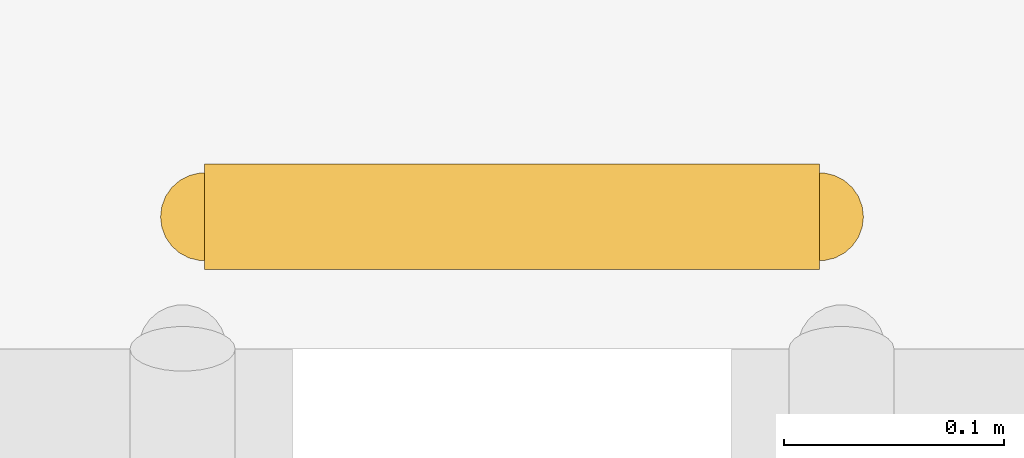
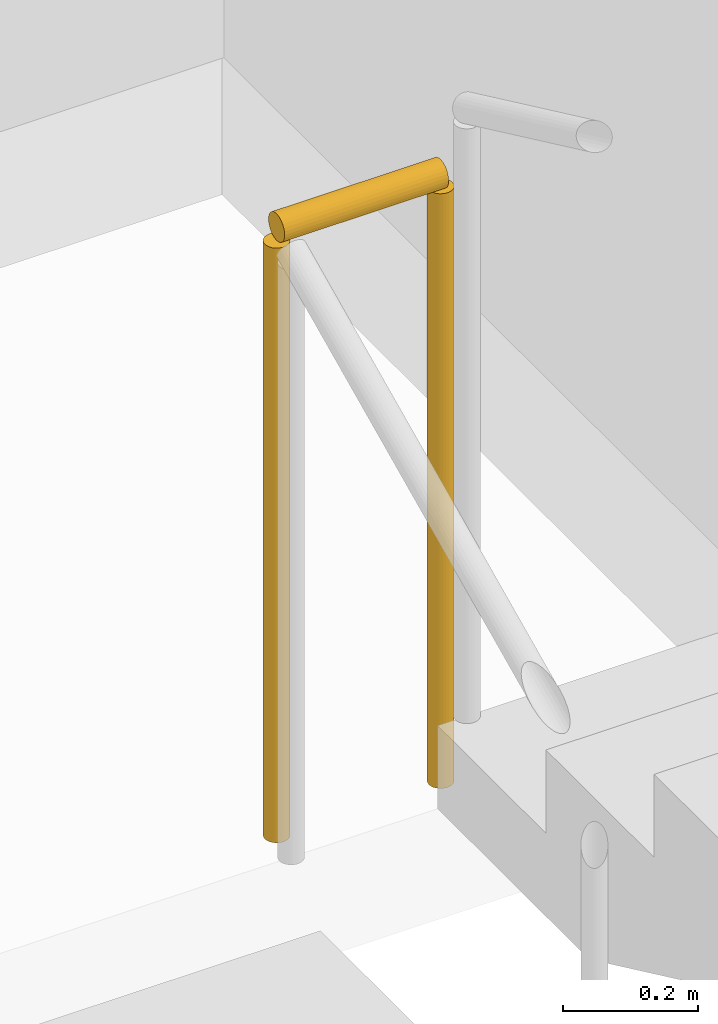
# One storey, part 84 of 91: 1 railing, 1 element without a shape of its own.
"""IFC4 building model written with IfcOpenShell, lengths in metres."""

from ifc_helpers import new_model, si_unit, direction, frame, origin, origin_2d, place, context, subcontext, project, spatial, circle, extrude, material, type_object, element, aggregate, save


model = new_model("IFC4")

# Units and contexts
model_context = context("Model", 3, precision=1e-05, world=origin(), true_north=direction((0.0, 1.0)))
body_context = subcontext(model_context, "Body", "Model", "MODEL_VIEW")
ifc_project = project(units=[si_unit("LENGTHUNIT", "METRE"), si_unit("AREAUNIT", "SQUARE_METRE"), si_unit("VOLUMEUNIT", "CUBIC_METRE"), si_unit("PLANEANGLEUNIT", "RADIAN"), si_unit("MASSUNIT", "GRAM", prefix="KILO")], contexts=[model_context])

# Site, building, storey
site_placement = place(None, origin())
site = spatial("IfcSite", under=ifc_project, at=site_placement, CompositionType="ELEMENT")
building_placement = place(site_placement, origin())
building = spatial("IfcBuilding", under=site, at=building_placement, Name="Kolvaren Corner Interchange", CompositionType="ELEMENT")
storey_placement = place(building_placement, frame((0.0, 0.0, 6.0)))
storey = spatial("IfcBuildingStorey", under=building, at=storey_placement, Name="L02", CompositionType="ELEMENT", Elevation=6.0)

# Stair, railing
ifc_material_1 = material(Name="Concrete C35/45", Category="concrete")
stair_type = type_object("IfcStairType", Name="ST-TR-2300", PredefinedType="HALF_TURN_STAIR", material=ifc_material_1)
stair_placement = place(storey_placement, origin())
stair = element("IfcStair", 1, at=stair_placement, inside=storey, type_object=stair_type, Name="Core C4 East Concourse Transfer Stair L02 to L03 Stair", PredefinedType="HALF_TURN_STAIR")
ifc_material_2 = material(Name="Powder-Coated Steel Stairwell Guardrail", Category="steel")
railing_type = type_object("IfcRailingType", Name="RLT-STAIR-GRD1120", PredefinedType="GUARDRAIL", material=ifc_material_2)
railing_placement = place(storey_placement, frame((117.110107421875, 57.68994140625, 2.25)))
railing = element("IfcRailing", 2, at=railing_placement, type_object=railing_type, Name="Core C4 East Concourse Transfer Stair L02 Half Landing Well Guardrail", PredefinedType="GUARDRAIL", context=body_context, shape_type="SweptSolid", body=[
    extrude(circle(Radius=0.02392578125, at=origin_2d()), frame((0.0, 0.0, 1.09619140625), z_axis=(1.0, 0.0, 0.0), x_axis=(0.0, 1.0, 0.0)), (0.0, 0.0, 1.0), 0.27978515625),
    extrude(circle(Radius=0.02001953125, at=origin_2d()), origin(), (0.0, 0.0, 1.0), 1.072021484375),
    extrude(circle(Radius=0.02001953125, at=origin_2d()), frame((0.27978515625, 0.0, 0.0)), (0.0, 0.0, 1.0), 1.072021484375),
])
aggregate(stair, [railing])

save(model, "model.ifc")
